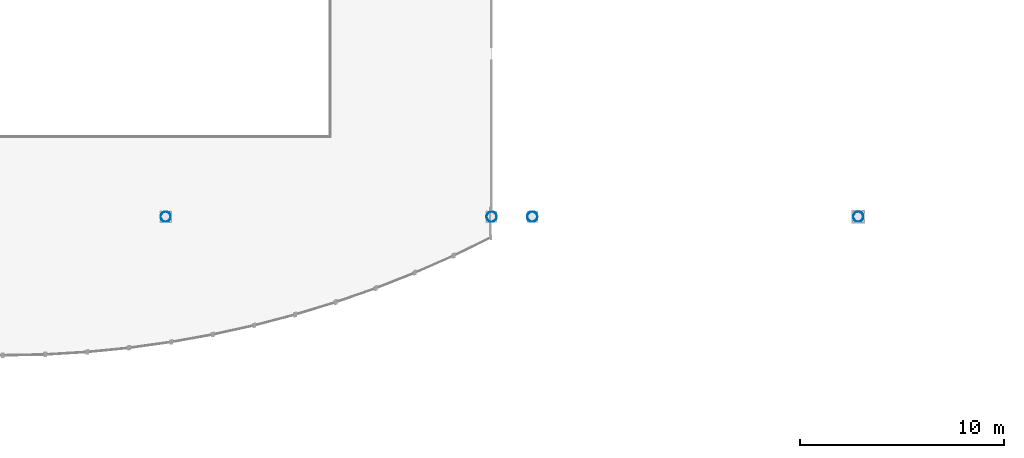
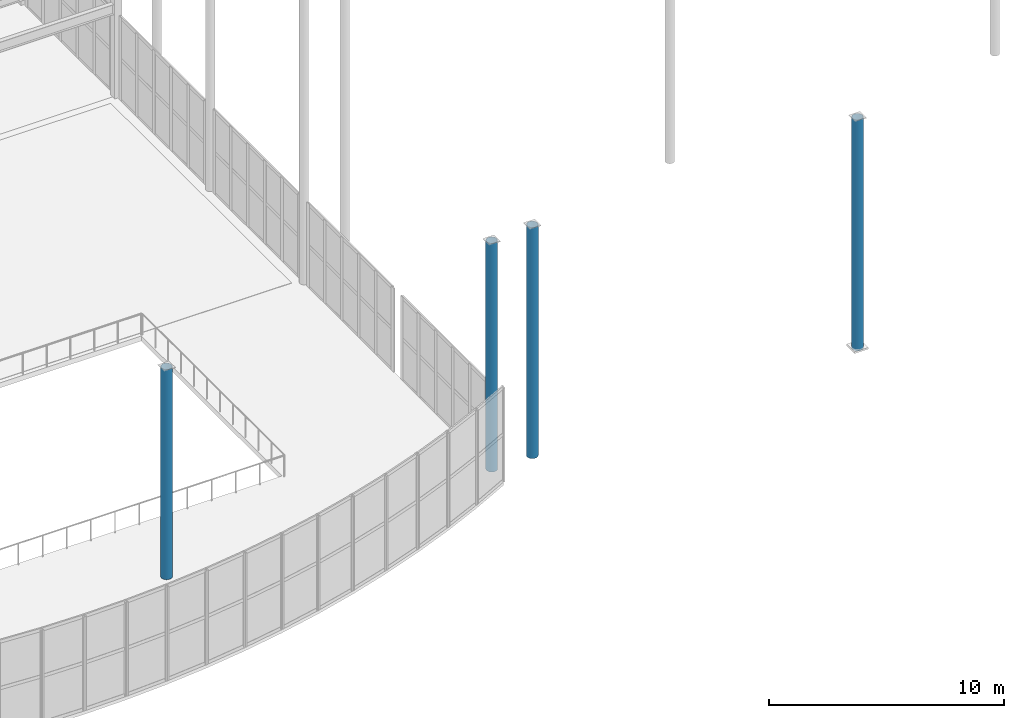
# One storey, part 5 of 77: 4 columns.
"""IFC4 building model written with IfcOpenShell, lengths in metres."""

from ifc_helpers import new_model, si_unit, direction, frame, origin, origin_2d, place, context, subcontext, project, spatial, hollow_circle, extrude, material, material_profile, profile_set, type_object, element, save


model = new_model("IFC4")

# Units and contexts
model_context = context("Model", 3, precision=1e-05, world=origin(), true_north=direction((0.0, 1.0)))
body_context = subcontext(model_context, "Body", "Model", "MODEL_VIEW")
ifc_project = project(units=[si_unit("LENGTHUNIT", "METRE"), si_unit("AREAUNIT", "SQUARE_METRE"), si_unit("VOLUMEUNIT", "CUBIC_METRE"), si_unit("PLANEANGLEUNIT", "RADIAN"), si_unit("MASSUNIT", "GRAM", prefix="KILO")], contexts=[model_context])

# Site, building, storey
site_placement = place(None, origin())
site = spatial("IfcSite", under=ifc_project, at=site_placement, CompositionType="ELEMENT")
building_placement = place(site_placement, origin())
building = spatial("IfcBuilding", under=site, at=building_placement, Name="Drelvath Fold Interchange", CompositionType="ELEMENT")
storey_placement = place(building_placement, frame((0.0, 0.0, 6.0)))
storey = spatial("IfcBuildingStorey", under=building, at=storey_placement, Name="L01", CompositionType="ELEMENT", Elevation=6.0)

# Columns
ifc_material = material(Name="Steel ASTM A500 Grade C", Category="steel")
ifc_material_profile = material_profile(ifc_material, hollow_circle(Radius=0.25390625, WallThickness=0.014892578125, at=origin_2d()), Name="HSS20.000X0.625")
ifc_profile_set = profile_set([ifc_material_profile], Name="Steel ASTM A500 Grade C")
column_type = type_object("IfcColumnType", Name="COL-CFT508", PredefinedType="COLUMN", material=ifc_profile_set)
column_1_placement = place(storey_placement, frame((84.0, 27.0, 0.0), z_axis=(0.0, 0.0, 1.0), x_axis=(1.0, 0.0, 0.0)))
element("IfcColumn", 1, at=column_1_placement, inside=storey, type_object=column_type, Name="L01 column (84,27)", PredefinedType="COLUMN", context=body_context, shape_type="SweptSolid", body=[
    extrude(hollow_circle(Radius=0.25390625, WallThickness=0.014892578125, at=origin_2d()), origin(), (0.0, 0.0, 1.0), 10.926025390625),
])
column_2_placement = place(storey_placement, frame((100.0, 27.0, 0.0), z_axis=(0.0, 0.0, 1.0), x_axis=(1.0, 0.0, 0.0)))
element("IfcColumn", 2, at=column_2_placement, inside=storey, type_object=column_type, Name="L01 column (100,27)", PredefinedType="COLUMN", context=body_context, shape_type="SweptSolid", body=[
    extrude(hollow_circle(Radius=0.25390625, WallThickness=0.014892578125, at=origin_2d()), origin(), (0.0, 0.0, 1.0), 11.888916015625),
])
for number, where, z_axis, x_axis, name in (
    (3, (102.0, 27.0, 0.0), (0.0, 0.0, 1.0), (1.0, 0.0, 0.0), "L01 column (102,27)"),
    (4, (118.0, 27.0, 0.0), (0.0, 0.0, 1.0), (1.0, 0.0, 0.0), "L01 column (118,27)"),
):
    element("IfcColumn", number, at=place(storey_placement, frame(where, z_axis=z_axis, x_axis=x_axis)), inside=storey, type_object=column_type, Name=name, PredefinedType="COLUMN", context=body_context, shape_type="SweptSolid", body=[
        extrude(hollow_circle(Radius=0.25390625, WallThickness=0.014892578125, at=origin_2d()), origin(), (0.0, 0.0, 1.0), 12.009033203125),
    ])

save(model, "model.ifc")
